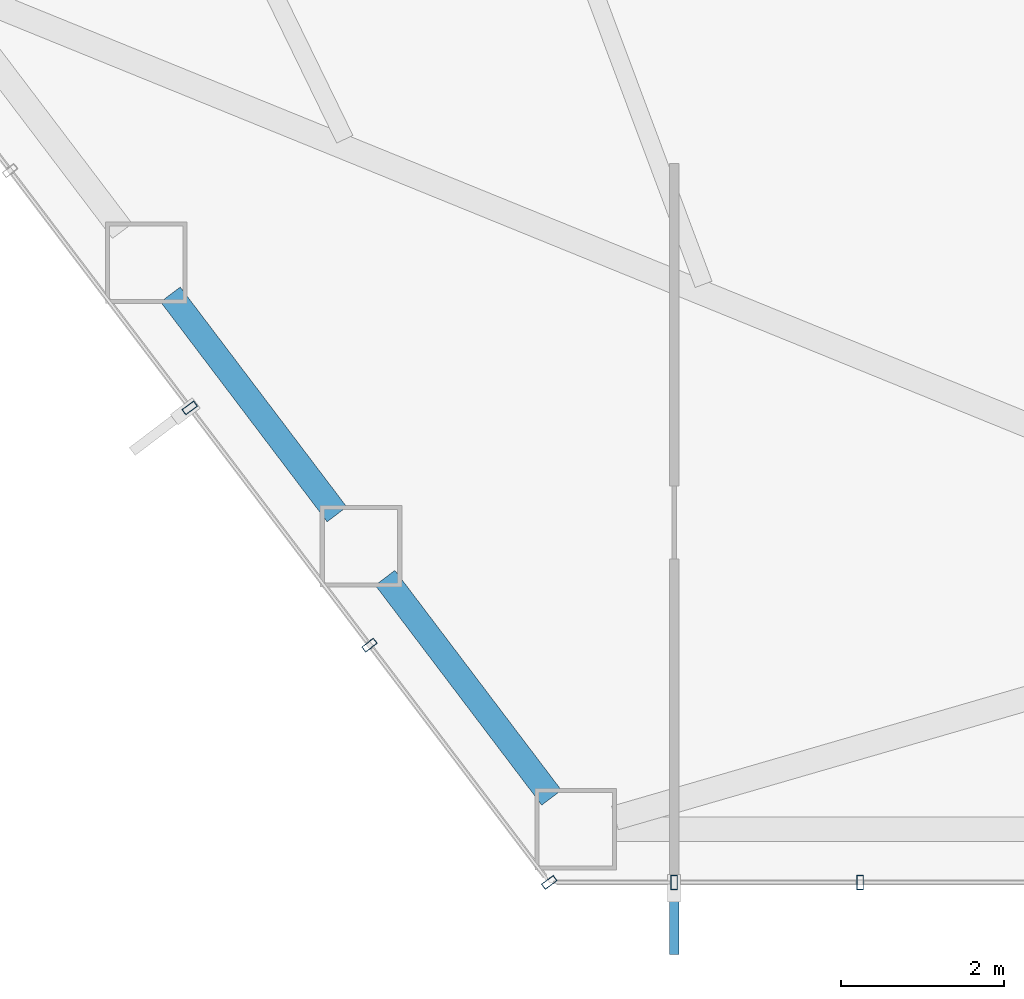
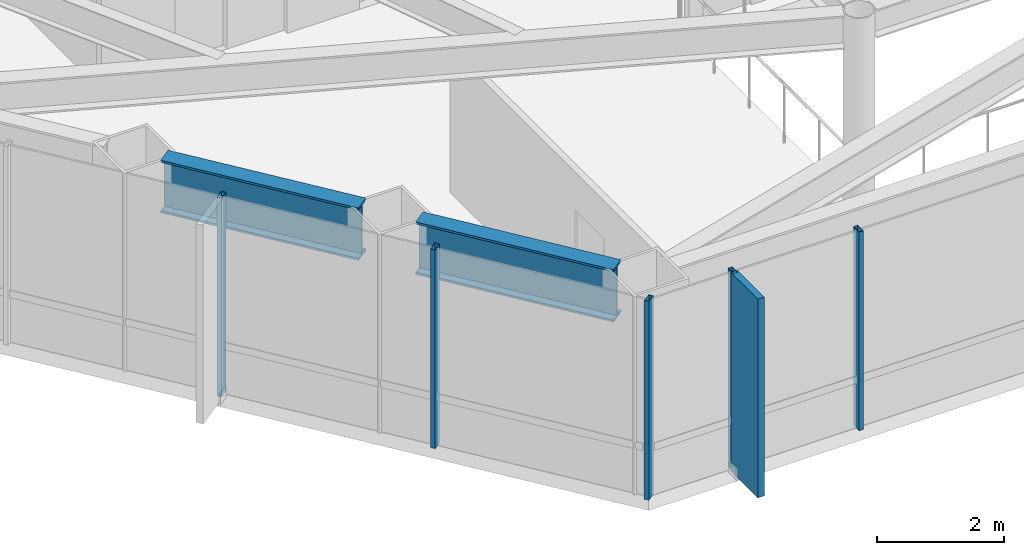
# One storey, part 2 of 26: 6 members, 2 beams, 2 elements without a shape of their own.
"""IFC4 building model written with IfcOpenShell, lengths in metres."""

from ifc_helpers import new_model, si_unit, direction, frame, origin, origin_2d, place, context, subcontext, project, spatial, rectangle, hollow_rectangle, i_section, extrude, material, layer, layer_set, material_profile, profile_set, type_object, element, aggregate, save


model = new_model("IFC4")

# Units and contexts
model_context = context("Model", 3, precision=1e-05, world=origin(), true_north=direction((0.0, 1.0)))
body_context = subcontext(model_context, "Body", "Model", "MODEL_VIEW")
ifc_project = project(units=[si_unit("LENGTHUNIT", "METRE"), si_unit("AREAUNIT", "SQUARE_METRE"), si_unit("VOLUMEUNIT", "CUBIC_METRE"), si_unit("PLANEANGLEUNIT", "RADIAN"), si_unit("MASSUNIT", "GRAM", prefix="KILO")], contexts=[model_context])

# Site, building, storey
site_placement = place(None, origin())
site = spatial("IfcSite", under=ifc_project, at=site_placement, CompositionType="ELEMENT")
building_placement = place(site_placement, origin())
building = spatial("IfcBuilding", under=site, at=building_placement, Name="Zarrinselat Tower", CompositionType="ELEMENT")
storey_placement = place(building_placement, frame((0.0, 0.0, 27.5400390625)))
storey = spatial("IfcBuildingStorey", under=building, at=storey_placement, Name="L06", CompositionType="ELEMENT", Elevation=27.5400390625)

# Beams
ifc_material_1 = material(Name="Steel S460M", Category="steel")
ifc_material_profile_1 = material_profile(ifc_material_1, i_section(OverallWidth=0.302001953125, OverallDepth=1.008056640625, WebThickness=0.02099609375, FlangeThickness=0.0400390625, at=origin_2d()), Name="HEM 1000")
ifc_profile_set_1 = profile_set([ifc_material_profile_1], Name="Steel S460M")
beam_type = type_object("IfcBeamType", Name="BM-HEM1000", PredefinedType="BEAM", material=ifc_profile_set_1)
for number, where, z_axis, x_axis, name in (
    (1, (22.32470703125, 26.39697265625, 3.31591796875), (0.603852126588, -0.797096361311, 0.0), (0.797096361311, 0.603852126588, 0.0), "L06 Perimeter Spandrel Girder SP08"),
    (2, (24.95556640625, 22.92431640625, 3.31591796875), (0.603852126588, -0.797096361311, 0.0), (0.797096361311, 0.603852126588, 0.0), "L06 Perimeter Spandrel Girder SP09"),
):
    element("IfcBeam", number, at=place(storey_placement, frame(where, z_axis=z_axis, x_axis=x_axis)), inside=storey, type_object=beam_type, Name=name, PredefinedType="BEAM", context=body_context, shape_type="SweptSolid", body=[
        extrude(i_section(OverallWidth=0.302001953125, OverallDepth=1.008056640625, WebThickness=0.02099609375, FlangeThickness=0.0400390625, at=origin_2d()), origin(), (0.0, 0.0, 1.0), 3.380859375),
    ])

# Curtain wall, members
ifc_material_2 = material(Name="Extruded Aluminium Alloy EN AW-6063 T6", Category="aluminium")
ifc_layer = layer(ifc_material_2, 0.18505859375)
ifc_layer_set = layer_set([ifc_layer], Name="Extruded Aluminium Alloy EN AW-6063 T6")
curtain_wall_type = type_object("IfcCurtainWallType", Name="CWS-OFF", PredefinedType="NOTDEFINED", material=ifc_layer_set)
curtain_wall_1_placement = place(storey_placement, origin())
curtain_wall_1 = element("IfcCurtainWall", 3, at=curtain_wall_1_placement, inside=storey, type_object=curtain_wall_type, Name="L06 Unitised Curtain Wall CW-L06-E03", PredefinedType="NOTDEFINED")
ifc_material_3 = material(Name="Extruded Aluminium Alloy EN AW-6063 T6", Category="aluminium")
ifc_material_profile_2 = material_profile(ifc_material_3, hollow_rectangle(XDim=0.080078125, YDim=0.179931640625, WallThickness=0.0048828125, at=origin_2d()), Name="RHS 180x80x5")
ifc_profile_set_2 = profile_set([ifc_material_profile_2], Name="Extruded Aluminium Alloy EN AW-6063 T6")
member_type_1 = type_object("IfcMemberType", Name="MEM-CW-MUL", PredefinedType="MULLION", material=ifc_profile_set_2)
member_1_placement = place(storey_placement, frame((22.562255859375, 25.0068359375, 0.0), z_axis=(0.0, 0.0, 1.0), x_axis=(0.603858215687, -0.797091748388, 0.0)))
member_1 = element("IfcMember", 4, at=member_1_placement, type_object=member_type_1, Name="CW-L06-E03 Mullion 3", PredefinedType="MULLION", context=body_context, shape_type="SweptSolid", body=[
    extrude(hollow_rectangle(XDim=0.080078125, YDim=0.179931640625, WallThickness=0.0048828125, at=origin_2d()), origin(), (0.0, 0.0, 1.0), 3.820068359375),
])
member_2_placement = place(storey_placement, frame((24.765380859375, 22.0986328125, 0.0), z_axis=(0.0, 0.0, 1.0), x_axis=(0.603858215687, -0.797091748388, 0.0)))
member_2 = element("IfcMember", 5, at=member_2_placement, type_object=member_type_1, Name="CW-L06-E03 Mullion 4", PredefinedType="MULLION", context=body_context, shape_type="SweptSolid", body=[
    extrude(hollow_rectangle(XDim=0.080078125, YDim=0.179931640625, WallThickness=0.0048828125, at=origin_2d()), origin(), (0.0, 0.0, 1.0), 3.820068359375),
])
member_3_placement = place(storey_placement, frame((26.96875, 19.1904296875, 0.0), z_axis=(0.0, 0.0, 1.0), x_axis=(0.603858215687, -0.797091748388, 0.0)))
member_3 = element("IfcMember", 6, at=member_3_placement, type_object=member_type_1, Name="CW-L06-E03 Mullion 5", PredefinedType="MULLION", context=body_context, shape_type="SweptSolid", body=[
    extrude(hollow_rectangle(XDim=0.080078125, YDim=0.179931640625, WallThickness=0.0048828125, at=origin_2d()), origin(), (0.0, 0.0, 1.0), 3.820068359375),
])
aggregate(curtain_wall_1, [member_1, member_2, member_3])

curtain_wall_2_placement = place(storey_placement, origin())
curtain_wall_2 = element("IfcCurtainWall", 7, at=curtain_wall_2_placement, inside=storey, type_object=curtain_wall_type, Name="L06 Unitised Curtain Wall CW-L06-E04", PredefinedType="NOTDEFINED")
member_4_placement = place(storey_placement, frame((28.5, 19.1904296875, 0.0), z_axis=(0.0, 0.0, 1.0), x_axis=(1.0, 0.0, 0.0)))
member_4 = element("IfcMember", 8, at=member_4_placement, type_object=member_type_1, Name="CW-L06-E04 Mullion 1", PredefinedType="MULLION", context=body_context, shape_type="SweptSolid", body=[
    extrude(hollow_rectangle(XDim=0.080078125, YDim=0.179931640625, WallThickness=0.0048828125, at=origin_2d()), origin(), (0.0, 0.0, 1.0), 3.820068359375),
])
member_5_placement = place(storey_placement, frame((30.779052734375, 19.1904296875, 0.0), z_axis=(0.0, 0.0, 1.0), x_axis=(1.0, 0.0, 0.0)))
member_5 = element("IfcMember", 9, at=member_5_placement, type_object=member_type_1, Name="CW-L06-E04 Mullion 2", PredefinedType="MULLION", context=body_context, shape_type="SweptSolid", body=[
    extrude(hollow_rectangle(XDim=0.080078125, YDim=0.179931640625, WallThickness=0.0048828125, at=origin_2d()), origin(), (0.0, 0.0, 1.0), 3.820068359375),
])
ifc_material_4 = material(Name="Honed Cream Travertine Stone", Category="masonry")
ifc_material_profile_3 = material_profile(ifc_material_4, rectangle(XDim=0.1201171875, YDim=0.85009765625, at=origin_2d()), Name="FIN 850x120")
ifc_profile_set_3 = profile_set([ifc_material_profile_3], Name="Honed Cream Travertine Stone")
member_type_2 = type_object("IfcMemberType", Name="MEM-STONE-FIN", PredefinedType="USERDEFINED", material=ifc_profile_set_3)
member_6_placement = place(storey_placement, frame((28.5, 18.73046875, 0.0), z_axis=(0.0, 0.0, 1.0), x_axis=(-1.0, 0.0, 0.0)))
member_6 = element("IfcMember", 10, at=member_6_placement, type_object=member_type_2, Name="L06 Stone Shading Fin CW-L06-E04-01", ObjectType="FIN", PredefinedType="USERDEFINED", context=body_context, shape_type="SweptSolid", body=[
    extrude(rectangle(XDim=0.1201171875, YDim=0.85009765625, at=origin_2d()), origin(), (0.0, 0.0, 1.0), 3.820068359375),
])
aggregate(curtain_wall_2, [member_4, member_6, member_5])

save(model, "model.ifc")
